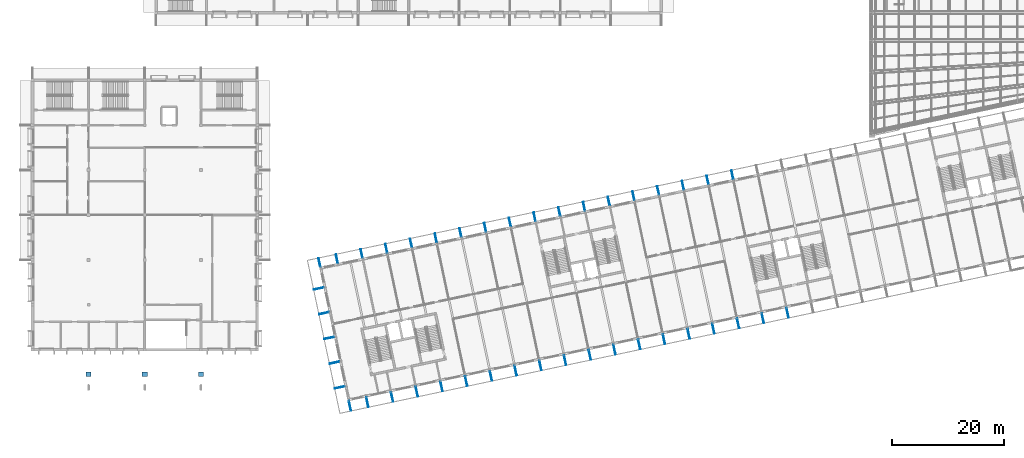
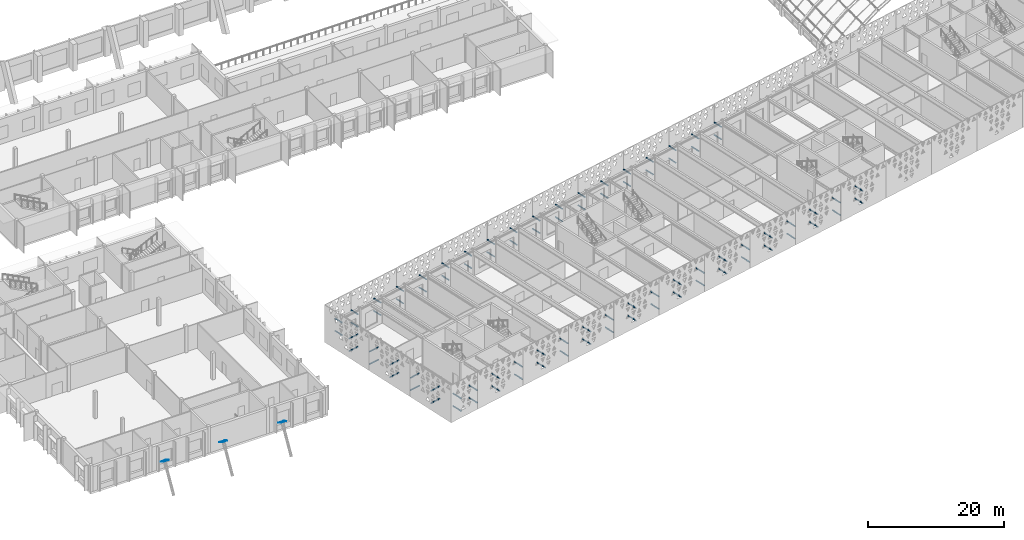
# One storey, part 152 of 182: 87 discrete accessories.
"""IFC4 building model written with IfcOpenShell, lengths in metres."""

from ifc_helpers import new_model, si_unit, direction, frame, origin, origin_2d, place, context, subcontext, project, spatial, rectangle, extrude, material, layer, layer_set, material_profile, profile_set, type_object, element, save


model = new_model("IFC4")

# Units and contexts
model_context = context("Model", 3, precision=1e-05, world=origin(), true_north=direction((0.0, 1.0)))
body_context = subcontext(model_context, "Body", "Model", "MODEL_VIEW")
ifc_project = project(units=[si_unit("LENGTHUNIT", "METRE"), si_unit("AREAUNIT", "SQUARE_METRE"), si_unit("VOLUMEUNIT", "CUBIC_METRE"), si_unit("PLANEANGLEUNIT", "RADIAN"), si_unit("MASSUNIT", "GRAM", prefix="KILO")], contexts=[model_context])

# Site, building, storey
site_placement = place(None, origin())
site = spatial("IfcSite", under=ifc_project, at=site_placement, CompositionType="ELEMENT")
building_placement = place(site_placement, origin())
building = spatial("IfcBuilding", under=site, at=building_placement, Name="Okhra Congress Centre", CompositionType="ELEMENT")
storey_placement = place(building_placement, frame((0.0, 0.0, 7.199951171875)))
storey = spatial("IfcBuildingStorey", under=building, at=storey_placement, Name="L01", CompositionType="ELEMENT", Elevation=7.199951171875)

# Discrete accessories
ifc_material_1 = material(Name="Steel S355J2", Category="steel")
ifc_layer = layer(ifc_material_1, 0.02001953125)
ifc_layer_set = layer_set([ifc_layer], Name="Brace end connection plate 20 mm S355")
discrete_accessory_type_1 = type_object("IfcDiscreteAccessoryType", Name="Brace end connection plate 20 mm S355", PredefinedType="BRACKET", material=ifc_layer_set)
for number, where, z_axis, x_axis, name in (
    (1, (16.0, 31.60009765625, 4.60009765625), (0.0, 0.500074377092, 0.865982457891), (-1.0, 0.0, 0.0), "Brace end connection plate"),
    (2, (26.0, 31.60009765625, 4.60009765625), (0.0, 0.500074377092, 0.865982457891), (-1.0, 0.0, 0.0), "Brace end connection plate"),
    (3, (36.0, 31.60009765625, 4.60009765625), (0.0, 0.500074377092, 0.865982457891), (-1.0, 0.0, 0.0), "Brace end connection plate"),
):
    element("IfcDiscreteAccessory", number, at=place(storey_placement, frame(where, z_axis=z_axis, x_axis=x_axis)), inside=storey, type_object=discrete_accessory_type_1, Name=name, PredefinedType="BRACKET", context=body_context, shape_type="SweptSolid", body=[
        extrude(rectangle(XDim=0.9140625, YDim=0.9140625, at=origin_2d()), origin(), (0.0, 0.0, 1.0), 0.02001953125),
    ])
ifc_material_2 = material(Name="Steel S355J2 outrigger, galvanised", Category="steel")
ifc_material_profile = material_profile(ifc_material_2, rectangle(XDim=0.1201171875, YDim=0.1201171875, at=origin_2d()), Name="Screen outrigger bracket 120x120")
ifc_profile_set = profile_set([ifc_material_profile], Name="Steel S355J2 outrigger, galvanised")
discrete_accessory_type_2 = type_object("IfcDiscreteAccessoryType", Name="Screen outrigger bracket 120x120", PredefinedType="BRACKET", material=ifc_profile_set)
for number, where, z_axis, x_axis, name in (
    (4, (62.352783203125, 26.86962890625, 1.130126953125), (0.207885223274, -0.97815322621, 0.0), (0.97815322621, 0.207885223274, 0.0), "Screen outrigger 1"),
    (5, (62.352783203125, 26.86962890625, 3.3701171875), (0.207885223274, -0.97815322621, 0.0), (0.97815322621, 0.207885223274, 0.0), "Screen outrigger 2"),
):
    element("IfcDiscreteAccessory", number, at=place(storey_placement, frame(where, z_axis=z_axis, x_axis=x_axis)), inside=storey, type_object=discrete_accessory_type_2, Name=name, PredefinedType="BRACKET", context=body_context, shape_type="SweptSolid", body=[
        extrude(rectangle(XDim=0.1201171875, YDim=0.1201171875, at=origin_2d()), origin(), (0.0, 0.0, 1.0), 1.76513671875),
    ])
for number, where, z_axis, x_axis, name in (
    (6, (57.271484375, 50.775390625, 1.130126953125), (-0.207952044176, 0.978139022493, 0.0), (-0.978139022493, -0.207952044176, 0.0), "Screen outrigger 9"),
    (7, (57.271484375, 50.775390625, 3.3701171875), (-0.207952044176, 0.978139022493, 0.0), (-0.978139022493, -0.207952044176, 0.0), "Screen outrigger 10"),
):
    element("IfcDiscreteAccessory", number, at=place(storey_placement, frame(where, z_axis=z_axis, x_axis=x_axis)), inside=storey, type_object=discrete_accessory_type_2, Name=name, PredefinedType="BRACKET", context=body_context, shape_type="SweptSolid", body=[
        extrude(rectangle(XDim=0.1201171875, YDim=0.1201171875, at=origin_2d()), origin(), (0.0, 0.0, 1.0), 1.56494140625),
    ])
for number, where, z_axis, x_axis, name in (
    (8, (65.45849609375, 27.529541015625, 1.130126953125), (0.207913352163, -0.978147247602, 0.0), (0.978147247602, 0.207913352163, 0.0), "Screen outrigger 16"),
    (9, (65.45849609375, 27.529541015625, 3.3701171875), (0.207913352163, -0.978147247602, 0.0), (0.978147247602, 0.207913352163, 0.0), "Screen outrigger 17"),
):
    element("IfcDiscreteAccessory", number, at=place(storey_placement, frame(where, z_axis=z_axis, x_axis=x_axis)), inside=storey, type_object=discrete_accessory_type_2, Name=name, PredefinedType="BRACKET", context=body_context, shape_type="SweptSolid", body=[
        extrude(rectangle(XDim=0.1201171875, YDim=0.1201171875, at=origin_2d()), origin(), (0.0, 0.0, 1.0), 1.764892578125),
    ])
for number, where, z_axis, x_axis, name in (
    (10, (60.376953125, 51.435546875, 1.130126953125), (-0.207802780084, 0.978170744088, 0.0), (-0.978170744088, -0.207802780084, 0.0), "Screen outrigger 24"),
    (11, (60.376953125, 51.435546875, 3.3701171875), (-0.207802780084, 0.978170744088, 0.0), (-0.978170744088, -0.207802780084, 0.0), "Screen outrigger 25"),
):
    element("IfcDiscreteAccessory", number, at=place(storey_placement, frame(where, z_axis=z_axis, x_axis=x_axis)), inside=storey, type_object=discrete_accessory_type_2, Name=name, PredefinedType="BRACKET", context=body_context, shape_type="SweptSolid", body=[
        extrude(rectangle(XDim=0.1201171875, YDim=0.1201171875, at=origin_2d()), origin(), (0.0, 0.0, 1.0), 1.56494140625),
    ])
for number, where, z_axis, x_axis, name in (
    (12, (69.860107421875, 28.46533203125, 1.130126953125), (0.207885223274, -0.97815322621, 0.0), (0.97815322621, 0.207885223274, 0.0), "Screen outrigger 31"),
    (13, (69.860107421875, 28.46533203125, 3.3701171875), (0.207885223274, -0.97815322621, 0.0), (0.97815322621, 0.207885223274, 0.0), "Screen outrigger 32"),
):
    element("IfcDiscreteAccessory", number, at=place(storey_placement, frame(where, z_axis=z_axis, x_axis=x_axis)), inside=storey, type_object=discrete_accessory_type_2, Name=name, PredefinedType="BRACKET", context=body_context, shape_type="SweptSolid", body=[
        extrude(rectangle(XDim=0.1201171875, YDim=0.1201171875, at=origin_2d()), origin(), (0.0, 0.0, 1.0), 1.76513671875),
    ])
for number, where, z_axis, x_axis, name in (
    (14, (64.77880859375, 52.37109375, 1.130126953125), (-0.207920316953, 0.978145767152, 0.0), (-0.978145767152, -0.207920316953, 0.0), "Screen outrigger 39"),
    (15, (64.77880859375, 52.37109375, 3.3701171875), (-0.207920316953, 0.978145767152, 0.0), (-0.978145767152, -0.207920316953, 0.0), "Screen outrigger 40"),
):
    element("IfcDiscreteAccessory", number, at=place(storey_placement, frame(where, z_axis=z_axis, x_axis=x_axis)), inside=storey, type_object=discrete_accessory_type_2, Name=name, PredefinedType="BRACKET", context=body_context, shape_type="SweptSolid", body=[
        extrude(rectangle(XDim=0.1201171875, YDim=0.1201171875, at=origin_2d()), origin(), (0.0, 0.0, 1.0), 1.565185546875),
    ])
for number, where, z_axis, x_axis, name in (
    (16, (74.26171875, 29.40087890625, 1.130126953125), (0.207885223274, -0.97815322621, 0.0), (0.97815322621, 0.207885223274, 0.0), "Screen outrigger 46"),
    (17, (74.26171875, 29.40087890625, 3.3701171875), (0.207885223274, -0.97815322621, 0.0), (0.97815322621, 0.207885223274, 0.0), "Screen outrigger 47"),
):
    element("IfcDiscreteAccessory", number, at=place(storey_placement, frame(where, z_axis=z_axis, x_axis=x_axis)), inside=storey, type_object=discrete_accessory_type_2, Name=name, PredefinedType="BRACKET", context=body_context, shape_type="SweptSolid", body=[
        extrude(rectangle(XDim=0.1201171875, YDim=0.1201171875, at=origin_2d()), origin(), (0.0, 0.0, 1.0), 1.76513671875),
    ])
for number, where, z_axis, x_axis, name in (
    (18, (69.180419921875, 53.306884765625, 1.130126953125), (-0.207952044176, 0.978139022493, 0.0), (-0.978139022493, -0.207952044176, 0.0), "Screen outrigger 54"),
    (19, (69.180419921875, 53.306884765625, 3.3701171875), (-0.207952044176, 0.978139022493, 0.0), (-0.978139022493, -0.207952044176, 0.0), "Screen outrigger 55"),
):
    element("IfcDiscreteAccessory", number, at=place(storey_placement, frame(where, z_axis=z_axis, x_axis=x_axis)), inside=storey, type_object=discrete_accessory_type_2, Name=name, PredefinedType="BRACKET", context=body_context, shape_type="SweptSolid", body=[
        extrude(rectangle(XDim=0.1201171875, YDim=0.1201171875, at=origin_2d()), origin(), (0.0, 0.0, 1.0), 1.56494140625),
    ])
for number, where, z_axis, x_axis, name in (
    (20, (78.663330078125, 30.33642578125, 1.130126953125), (0.207913352163, -0.978147247602, 0.0), (0.978147247602, 0.207913352163, 0.0), "Screen outrigger 61"),
    (21, (78.663330078125, 30.33642578125, 3.3701171875), (0.207913352163, -0.978147247602, 0.0), (0.978147247602, 0.207913352163, 0.0), "Screen outrigger 62"),
):
    element("IfcDiscreteAccessory", number, at=place(storey_placement, frame(where, z_axis=z_axis, x_axis=x_axis)), inside=storey, type_object=discrete_accessory_type_2, Name=name, PredefinedType="BRACKET", context=body_context, shape_type="SweptSolid", body=[
        extrude(rectangle(XDim=0.1201171875, YDim=0.1201171875, at=origin_2d()), origin(), (0.0, 0.0, 1.0), 1.764892578125),
    ])
for number, where, z_axis, x_axis, name in (
    (22, (73.58203125, 54.242431640625, 1.130126953125), (-0.207952044176, 0.978139022493, 0.0), (-0.978139022493, -0.207952044176, 0.0), "Screen outrigger 69"),
    (23, (73.58203125, 54.242431640625, 3.3701171875), (-0.207952044176, 0.978139022493, 0.0), (-0.978139022493, -0.207952044176, 0.0), "Screen outrigger 70"),
):
    element("IfcDiscreteAccessory", number, at=place(storey_placement, frame(where, z_axis=z_axis, x_axis=x_axis)), inside=storey, type_object=discrete_accessory_type_2, Name=name, PredefinedType="BRACKET", context=body_context, shape_type="SweptSolid", body=[
        extrude(rectangle(XDim=0.1201171875, YDim=0.1201171875, at=origin_2d()), origin(), (0.0, 0.0, 1.0), 1.56494140625),
    ])
for number, where, z_axis, x_axis, name in (
    (24, (83.06494140625, 31.27197265625, 1.130126953125), (0.208045698869, -0.978119106849, 0.0), (0.978119106849, 0.208045698869, 0.0), "Screen outrigger 76"),
    (25, (83.06494140625, 31.27197265625, 3.3701171875), (0.208045698869, -0.978119106849, 0.0), (0.978119106849, 0.208045698869, 0.0), "Screen outrigger 77"),
):
    element("IfcDiscreteAccessory", number, at=place(storey_placement, frame(where, z_axis=z_axis, x_axis=x_axis)), inside=storey, type_object=discrete_accessory_type_2, Name=name, PredefinedType="BRACKET", context=body_context, shape_type="SweptSolid", body=[
        extrude(rectangle(XDim=0.1201171875, YDim=0.1201171875, at=origin_2d()), origin(), (0.0, 0.0, 1.0), 1.764892578125),
    ])
for number, where, z_axis, x_axis, name in (
    (26, (77.983642578125, 55.177978515625, 1.130126953125), (-0.207952044176, 0.978139022493, 0.0), (-0.978139022493, -0.207952044176, 0.0), "Screen outrigger 84"),
    (27, (77.983642578125, 55.177978515625, 3.3701171875), (-0.207952044176, 0.978139022493, 0.0), (-0.978139022493, -0.207952044176, 0.0), "Screen outrigger 85"),
):
    element("IfcDiscreteAccessory", number, at=place(storey_placement, frame(where, z_axis=z_axis, x_axis=x_axis)), inside=storey, type_object=discrete_accessory_type_2, Name=name, PredefinedType="BRACKET", context=body_context, shape_type="SweptSolid", body=[
        extrude(rectangle(XDim=0.1201171875, YDim=0.1201171875, at=origin_2d()), origin(), (0.0, 0.0, 1.0), 1.56494140625),
    ])
for number, where, z_axis, x_axis, name in (
    (28, (87.466796875, 32.207763671875, 1.130126953125), (0.207885223274, -0.97815322621, 0.0), (0.97815322621, 0.207885223274, 0.0), "Screen outrigger 92"),
    (29, (87.466796875, 32.207763671875, 3.3701171875), (0.207885223274, -0.97815322621, 0.0), (0.97815322621, 0.207885223274, 0.0), "Screen outrigger 93"),
):
    element("IfcDiscreteAccessory", number, at=place(storey_placement, frame(where, z_axis=z_axis, x_axis=x_axis)), inside=storey, type_object=discrete_accessory_type_2, Name=name, PredefinedType="BRACKET", context=body_context, shape_type="SweptSolid", body=[
        extrude(rectangle(XDim=0.1201171875, YDim=0.1201171875, at=origin_2d()), origin(), (0.0, 0.0, 1.0), 1.76513671875),
    ])
for number, where, z_axis, x_axis, name in (
    (30, (82.38525390625, 56.113525390625, 1.130126953125), (-0.207802780084, 0.978170744088, 0.0), (-0.978170744088, -0.207802780084, 0.0), "Screen outrigger 100"),
    (31, (82.38525390625, 56.113525390625, 3.3701171875), (-0.207802780084, 0.978170744088, 0.0), (-0.978170744088, -0.207802780084, 0.0), "Screen outrigger 101"),
):
    element("IfcDiscreteAccessory", number, at=place(storey_placement, frame(where, z_axis=z_axis, x_axis=x_axis)), inside=storey, type_object=discrete_accessory_type_2, Name=name, PredefinedType="BRACKET", context=body_context, shape_type="SweptSolid", body=[
        extrude(rectangle(XDim=0.1201171875, YDim=0.1201171875, at=origin_2d()), origin(), (0.0, 0.0, 1.0), 1.56494140625),
    ])
for number, where, z_axis, x_axis, name in (
    (32, (91.868408203125, 33.143310546875, 1.130126953125), (0.207885223274, -0.97815322621, 0.0), (0.97815322621, 0.207885223274, 0.0), "Screen outrigger 108"),
    (33, (91.868408203125, 33.143310546875, 3.3701171875), (0.207885223274, -0.97815322621, 0.0), (0.97815322621, 0.207885223274, 0.0), "Screen outrigger 109"),
):
    element("IfcDiscreteAccessory", number, at=place(storey_placement, frame(where, z_axis=z_axis, x_axis=x_axis)), inside=storey, type_object=discrete_accessory_type_2, Name=name, PredefinedType="BRACKET", context=body_context, shape_type="SweptSolid", body=[
        extrude(rectangle(XDim=0.1201171875, YDim=0.1201171875, at=origin_2d()), origin(), (0.0, 0.0, 1.0), 1.76513671875),
    ])
for number, where, z_axis, x_axis, name in (
    (34, (86.787109375, 57.049072265625, 1.130126953125), (-0.207920316953, 0.978145767152, 0.0), (-0.978145767152, -0.207920316953, 0.0), "Screen outrigger 116"),
    (35, (86.787109375, 57.049072265625, 3.3701171875), (-0.207920316953, 0.978145767152, 0.0), (-0.978145767152, -0.207920316953, 0.0), "Screen outrigger 117"),
):
    element("IfcDiscreteAccessory", number, at=place(storey_placement, frame(where, z_axis=z_axis, x_axis=x_axis)), inside=storey, type_object=discrete_accessory_type_2, Name=name, PredefinedType="BRACKET", context=body_context, shape_type="SweptSolid", body=[
        extrude(rectangle(XDim=0.1201171875, YDim=0.1201171875, at=origin_2d()), origin(), (0.0, 0.0, 1.0), 1.565185546875),
    ])
for number, where, z_axis, x_axis, name in (
    (36, (96.27001953125, 34.078857421875, 1.130126953125), (0.207913352163, -0.978147247602, 0.0), (0.978147247602, 0.207913352163, 0.0), "Screen outrigger 124"),
    (37, (96.27001953125, 34.078857421875, 3.3701171875), (0.207913352163, -0.978147247602, 0.0), (0.978147247602, 0.207913352163, 0.0), "Screen outrigger 125"),
):
    element("IfcDiscreteAccessory", number, at=place(storey_placement, frame(where, z_axis=z_axis, x_axis=x_axis)), inside=storey, type_object=discrete_accessory_type_2, Name=name, PredefinedType="BRACKET", context=body_context, shape_type="SweptSolid", body=[
        extrude(rectangle(XDim=0.1201171875, YDim=0.1201171875, at=origin_2d()), origin(), (0.0, 0.0, 1.0), 1.764892578125),
    ])
for number, where, z_axis, x_axis, name in (
    (38, (91.188720703125, 57.98486328125, 1.130126953125), (-0.207952044176, 0.978139022493, 0.0), (-0.978139022493, -0.207952044176, 0.0), "Screen outrigger 132"),
    (39, (91.188720703125, 57.98486328125, 3.3701171875), (-0.207952044176, 0.978139022493, 0.0), (-0.978139022493, -0.207952044176, 0.0), "Screen outrigger 133"),
):
    element("IfcDiscreteAccessory", number, at=place(storey_placement, frame(where, z_axis=z_axis, x_axis=x_axis)), inside=storey, type_object=discrete_accessory_type_2, Name=name, PredefinedType="BRACKET", context=body_context, shape_type="SweptSolid", body=[
        extrude(rectangle(XDim=0.1201171875, YDim=0.1201171875, at=origin_2d()), origin(), (0.0, 0.0, 1.0), 1.56494140625),
    ])
for number, where, z_axis, x_axis, name in (
    (40, (100.671630859375, 35.014404296875, 1.130126953125), (0.207913352163, -0.978147247602, 0.0), (0.978147247602, 0.207913352163, 0.0), "Screen outrigger 140"),
    (41, (100.671630859375, 35.014404296875, 3.3701171875), (0.207913352163, -0.978147247602, 0.0), (0.978147247602, 0.207913352163, 0.0), "Screen outrigger 141"),
):
    element("IfcDiscreteAccessory", number, at=place(storey_placement, frame(where, z_axis=z_axis, x_axis=x_axis)), inside=storey, type_object=discrete_accessory_type_2, Name=name, PredefinedType="BRACKET", context=body_context, shape_type="SweptSolid", body=[
        extrude(rectangle(XDim=0.1201171875, YDim=0.1201171875, at=origin_2d()), origin(), (0.0, 0.0, 1.0), 1.764892578125),
    ])
for number, where, z_axis, x_axis, name in (
    (42, (95.59033203125, 58.92041015625, 1.130126953125), (-0.207952044176, 0.978139022493, 0.0), (-0.978139022493, -0.207952044176, 0.0), "Screen outrigger 149"),
    (43, (95.59033203125, 58.92041015625, 3.3701171875), (-0.207952044176, 0.978139022493, 0.0), (-0.978139022493, -0.207952044176, 0.0), "Screen outrigger 150"),
):
    element("IfcDiscreteAccessory", number, at=place(storey_placement, frame(where, z_axis=z_axis, x_axis=x_axis)), inside=storey, type_object=discrete_accessory_type_2, Name=name, PredefinedType="BRACKET", context=body_context, shape_type="SweptSolid", body=[
        extrude(rectangle(XDim=0.1201171875, YDim=0.1201171875, at=origin_2d()), origin(), (0.0, 0.0, 1.0), 1.56494140625),
    ])
for number, where, z_axis, x_axis, name in (
    (44, (105.073486328125, 35.949951171875, 1.130126953125), (0.207913352163, -0.978147247602, 0.0), (0.978147247602, 0.207913352163, 0.0), "Screen outrigger 157"),
    (45, (105.073486328125, 35.949951171875, 3.3701171875), (0.207913352163, -0.978147247602, 0.0), (0.978147247602, 0.207913352163, 0.0), "Screen outrigger 158"),
):
    element("IfcDiscreteAccessory", number, at=place(storey_placement, frame(where, z_axis=z_axis, x_axis=x_axis)), inside=storey, type_object=discrete_accessory_type_2, Name=name, PredefinedType="BRACKET", context=body_context, shape_type="SweptSolid", body=[
        extrude(rectangle(XDim=0.1201171875, YDim=0.1201171875, at=origin_2d()), origin(), (0.0, 0.0, 1.0), 1.764892578125),
    ])
for number, where, z_axis, x_axis, name in (
    (46, (99.991943359375, 59.85595703125, 1.130126953125), (-0.207802780084, 0.978170744088, 0.0), (-0.978170744088, -0.207802780084, 0.0), "Screen outrigger 166"),
    (47, (99.991943359375, 59.85595703125, 3.3701171875), (-0.207802780084, 0.978170744088, 0.0), (-0.978170744088, -0.207802780084, 0.0), "Screen outrigger 167"),
):
    element("IfcDiscreteAccessory", number, at=place(storey_placement, frame(where, z_axis=z_axis, x_axis=x_axis)), inside=storey, type_object=discrete_accessory_type_2, Name=name, PredefinedType="BRACKET", context=body_context, shape_type="SweptSolid", body=[
        extrude(rectangle(XDim=0.1201171875, YDim=0.1201171875, at=origin_2d()), origin(), (0.0, 0.0, 1.0), 1.56494140625),
    ])
for number, where, z_axis, x_axis, name in (
    (48, (109.47509765625, 36.8857421875, 1.130126953125), (0.207885223274, -0.97815322621, 0.0), (0.97815322621, 0.207885223274, 0.0), "Screen outrigger 174"),
    (49, (109.47509765625, 36.8857421875, 3.3701171875), (0.207885223274, -0.97815322621, 0.0), (0.97815322621, 0.207885223274, 0.0), "Screen outrigger 175"),
):
    element("IfcDiscreteAccessory", number, at=place(storey_placement, frame(where, z_axis=z_axis, x_axis=x_axis)), inside=storey, type_object=discrete_accessory_type_2, Name=name, PredefinedType="BRACKET", context=body_context, shape_type="SweptSolid", body=[
        extrude(rectangle(XDim=0.1201171875, YDim=0.1201171875, at=origin_2d()), origin(), (0.0, 0.0, 1.0), 1.76513671875),
    ])
for number, where, z_axis, x_axis, name in (
    (50, (104.3935546875, 60.79150390625, 1.130126953125), (-0.207771073578, 0.978177479287, 0.0), (-0.978177479287, -0.207771073578, 0.0), "Screen outrigger 183"),
    (51, (104.3935546875, 60.79150390625, 3.3701171875), (-0.207771073578, 0.978177479287, 0.0), (-0.978177479287, -0.207771073578, 0.0), "Screen outrigger 184"),
):
    element("IfcDiscreteAccessory", number, at=place(storey_placement, frame(where, z_axis=z_axis, x_axis=x_axis)), inside=storey, type_object=discrete_accessory_type_2, Name=name, PredefinedType="BRACKET", context=body_context, shape_type="SweptSolid", body=[
        extrude(rectangle(XDim=0.1201171875, YDim=0.1201171875, at=origin_2d()), origin(), (0.0, 0.0, 1.0), 1.565185546875),
    ])
for number, where, z_axis, x_axis, name in (
    (52, (113.876708984375, 37.8212890625, 1.130126953125), (0.207885223274, -0.97815322621, 0.0), (0.97815322621, 0.207885223274, 0.0), "Screen outrigger 191"),
    (53, (113.876708984375, 37.8212890625, 3.3701171875), (0.207885223274, -0.97815322621, 0.0), (0.97815322621, 0.207885223274, 0.0), "Screen outrigger 192"),
):
    element("IfcDiscreteAccessory", number, at=place(storey_placement, frame(where, z_axis=z_axis, x_axis=x_axis)), inside=storey, type_object=discrete_accessory_type_2, Name=name, PredefinedType="BRACKET", context=body_context, shape_type="SweptSolid", body=[
        extrude(rectangle(XDim=0.1201171875, YDim=0.1201171875, at=origin_2d()), origin(), (0.0, 0.0, 1.0), 1.76513671875),
    ])
for number, where, z_axis, x_axis, name in (
    (54, (108.79541015625, 61.727294921875, 1.130126953125), (-0.207952044176, 0.978139022493, 0.0), (-0.978139022493, -0.207952044176, 0.0), "Screen outrigger 200"),
    (55, (108.79541015625, 61.727294921875, 3.3701171875), (-0.207952044176, 0.978139022493, 0.0), (-0.978139022493, -0.207952044176, 0.0), "Screen outrigger 201"),
):
    element("IfcDiscreteAccessory", number, at=place(storey_placement, frame(where, z_axis=z_axis, x_axis=x_axis)), inside=storey, type_object=discrete_accessory_type_2, Name=name, PredefinedType="BRACKET", context=body_context, shape_type="SweptSolid", body=[
        extrude(rectangle(XDim=0.1201171875, YDim=0.1201171875, at=origin_2d()), origin(), (0.0, 0.0, 1.0), 1.56494140625),
    ])
for number, where, z_axis, x_axis, name in (
    (56, (118.2783203125, 38.7568359375, 1.130126953125), (0.207913352163, -0.978147247602, 0.0), (0.978147247602, 0.207913352163, 0.0), "Screen outrigger 208"),
    (57, (118.2783203125, 38.7568359375, 3.3701171875), (0.207913352163, -0.978147247602, 0.0), (0.978147247602, 0.207913352163, 0.0), "Screen outrigger 209"),
):
    element("IfcDiscreteAccessory", number, at=place(storey_placement, frame(where, z_axis=z_axis, x_axis=x_axis)), inside=storey, type_object=discrete_accessory_type_2, Name=name, PredefinedType="BRACKET", context=body_context, shape_type="SweptSolid", body=[
        extrude(rectangle(XDim=0.1201171875, YDim=0.1201171875, at=origin_2d()), origin(), (0.0, 0.0, 1.0), 1.764892578125),
    ])
for number, where, z_axis, x_axis, name in (
    (58, (113.197021484375, 62.662841796875, 1.130126953125), (-0.207952044176, 0.978139022493, 0.0), (-0.978139022493, -0.207952044176, 0.0), "Screen outrigger 217"),
    (59, (113.197021484375, 62.662841796875, 3.3701171875), (-0.207952044176, 0.978139022493, 0.0), (-0.978139022493, -0.207952044176, 0.0), "Screen outrigger 218"),
):
    element("IfcDiscreteAccessory", number, at=place(storey_placement, frame(where, z_axis=z_axis, x_axis=x_axis)), inside=storey, type_object=discrete_accessory_type_2, Name=name, PredefinedType="BRACKET", context=body_context, shape_type="SweptSolid", body=[
        extrude(rectangle(XDim=0.1201171875, YDim=0.1201171875, at=origin_2d()), origin(), (0.0, 0.0, 1.0), 1.56494140625),
    ])
for number, where, z_axis, x_axis, name in (
    (60, (122.679931640625, 39.6923828125, 1.130126953125), (0.207913352163, -0.978147247602, 0.0), (0.978147247602, 0.207913352163, 0.0), "Screen outrigger 225"),
    (61, (122.679931640625, 39.6923828125, 3.3701171875), (0.207913352163, -0.978147247602, 0.0), (0.978147247602, 0.207913352163, 0.0), "Screen outrigger 226"),
):
    element("IfcDiscreteAccessory", number, at=place(storey_placement, frame(where, z_axis=z_axis, x_axis=x_axis)), inside=storey, type_object=discrete_accessory_type_2, Name=name, PredefinedType="BRACKET", context=body_context, shape_type="SweptSolid", body=[
        extrude(rectangle(XDim=0.1201171875, YDim=0.1201171875, at=origin_2d()), origin(), (0.0, 0.0, 1.0), 1.764892578125),
    ])
for number, where, z_axis, x_axis, name in (
    (62, (117.5986328125, 63.598388671875, 1.130126953125), (-0.207952044176, 0.978139022493, 0.0), (-0.978139022493, -0.207952044176, 0.0), "Screen outrigger 234"),
    (63, (117.5986328125, 63.598388671875, 3.3701171875), (-0.207952044176, 0.978139022493, 0.0), (-0.978139022493, -0.207952044176, 0.0), "Screen outrigger 235"),
):
    element("IfcDiscreteAccessory", number, at=place(storey_placement, frame(where, z_axis=z_axis, x_axis=x_axis)), inside=storey, type_object=discrete_accessory_type_2, Name=name, PredefinedType="BRACKET", context=body_context, shape_type="SweptSolid", body=[
        extrude(rectangle(XDim=0.1201171875, YDim=0.1201171875, at=origin_2d()), origin(), (0.0, 0.0, 1.0), 1.56494140625),
    ])
for number, where, z_axis, x_axis, name in (
    (64, (127.081787109375, 40.628173828125, 1.130126953125), (0.207885223274, -0.97815322621, 0.0), (0.97815322621, 0.207885223274, 0.0), "Screen outrigger 243"),
    (65, (127.081787109375, 40.628173828125, 3.3701171875), (0.207885223274, -0.97815322621, 0.0), (0.97815322621, 0.207885223274, 0.0), "Screen outrigger 244"),
):
    element("IfcDiscreteAccessory", number, at=place(storey_placement, frame(where, z_axis=z_axis, x_axis=x_axis)), inside=storey, type_object=discrete_accessory_type_2, Name=name, PredefinedType="BRACKET", context=body_context, shape_type="SweptSolid", body=[
        extrude(rectangle(XDim=0.1201171875, YDim=0.1201171875, at=origin_2d()), origin(), (0.0, 0.0, 1.0), 1.76513671875),
    ])
for number, where, z_axis, x_axis, name in (
    (66, (122.000244140625, 64.533935546875, 1.130126953125), (-0.207802780084, 0.978170744088, 0.0), (-0.978170744088, -0.207802780084, 0.0), "Screen outrigger 252"),
    (67, (122.000244140625, 64.533935546875, 3.3701171875), (-0.207802780084, 0.978170744088, 0.0), (-0.978170744088, -0.207802780084, 0.0), "Screen outrigger 253"),
):
    element("IfcDiscreteAccessory", number, at=place(storey_placement, frame(where, z_axis=z_axis, x_axis=x_axis)), inside=storey, type_object=discrete_accessory_type_2, Name=name, PredefinedType="BRACKET", context=body_context, shape_type="SweptSolid", body=[
        extrude(rectangle(XDim=0.1201171875, YDim=0.1201171875, at=origin_2d()), origin(), (0.0, 0.0, 1.0), 1.56494140625),
    ])
for number, where, z_axis, x_axis, name in (
    (68, (131.4833984375, 41.563720703125, 1.130126953125), (0.207885223274, -0.97815322621, 0.0), (0.97815322621, 0.207885223274, 0.0), "Screen outrigger 261"),
    (69, (131.4833984375, 41.563720703125, 3.3701171875), (0.207885223274, -0.97815322621, 0.0), (0.97815322621, 0.207885223274, 0.0), "Screen outrigger 262"),
):
    element("IfcDiscreteAccessory", number, at=place(storey_placement, frame(where, z_axis=z_axis, x_axis=x_axis)), inside=storey, type_object=discrete_accessory_type_2, Name=name, PredefinedType="BRACKET", context=body_context, shape_type="SweptSolid", body=[
        extrude(rectangle(XDim=0.1201171875, YDim=0.1201171875, at=origin_2d()), origin(), (0.0, 0.0, 1.0), 1.76513671875),
    ])
for number, where, z_axis, x_axis, name in (
    (70, (126.402099609375, 65.4697265625, 1.130126953125), (-0.207952044176, 0.978139022493, 0.0), (-0.978139022493, -0.207952044176, 0.0), "Screen outrigger 270"),
    (71, (126.402099609375, 65.4697265625, 3.3701171875), (-0.207952044176, 0.978139022493, 0.0), (-0.978139022493, -0.207952044176, 0.0), "Screen outrigger 271"),
):
    element("IfcDiscreteAccessory", number, at=place(storey_placement, frame(where, z_axis=z_axis, x_axis=x_axis)), inside=storey, type_object=discrete_accessory_type_2, Name=name, PredefinedType="BRACKET", context=body_context, shape_type="SweptSolid", body=[
        extrude(rectangle(XDim=0.1201171875, YDim=0.1201171875, at=origin_2d()), origin(), (0.0, 0.0, 1.0), 1.56494140625),
    ])
for number, where, z_axis, x_axis, name in (
    (72, (135.885009765625, 42.499267578125, 1.130126953125), (0.207913352163, -0.978147247602, 0.0), (0.978147247602, 0.207913352163, 0.0), "Screen outrigger 279"),
    (73, (135.885009765625, 42.499267578125, 3.3701171875), (0.207913352163, -0.978147247602, 0.0), (0.978147247602, 0.207913352163, 0.0), "Screen outrigger 280"),
):
    element("IfcDiscreteAccessory", number, at=place(storey_placement, frame(where, z_axis=z_axis, x_axis=x_axis)), inside=storey, type_object=discrete_accessory_type_2, Name=name, PredefinedType="BRACKET", context=body_context, shape_type="SweptSolid", body=[
        extrude(rectangle(XDim=0.1201171875, YDim=0.1201171875, at=origin_2d()), origin(), (0.0, 0.0, 1.0), 1.764892578125),
    ])
for number, where, z_axis, x_axis, name in (
    (74, (130.8037109375, 66.4052734375, 1.130126953125), (-0.207952044176, 0.978139022493, 0.0), (-0.978139022493, -0.207952044176, 0.0), "Screen outrigger 288"),
    (75, (130.8037109375, 66.4052734375, 3.3701171875), (-0.207952044176, 0.978139022493, 0.0), (-0.978139022493, -0.207952044176, 0.0), "Screen outrigger 289"),
):
    element("IfcDiscreteAccessory", number, at=place(storey_placement, frame(where, z_axis=z_axis, x_axis=x_axis)), inside=storey, type_object=discrete_accessory_type_2, Name=name, PredefinedType="BRACKET", context=body_context, shape_type="SweptSolid", body=[
        extrude(rectangle(XDim=0.1201171875, YDim=0.1201171875, at=origin_2d()), origin(), (0.0, 0.0, 1.0), 1.56494140625),
    ])
for number, where, z_axis, x_axis, name in (
    (76, (140.28662109375, 43.434814453125, 1.130126953125), (0.207913352163, -0.978147247602, 0.0), (0.978147247602, 0.207913352163, 0.0), "Screen outrigger 297"),
    (77, (140.28662109375, 43.434814453125, 3.3701171875), (0.207913352163, -0.978147247602, 0.0), (0.978147247602, 0.207913352163, 0.0), "Screen outrigger 298"),
    (78, (61.572998046875, 29.4794921875, 1.130126953125), (-0.978147247602, -0.207913352163, 0.0), (0.207913352163, -0.978147247602, 0.0), "Screen outrigger 682"),
    (79, (61.572998046875, 29.4794921875, 3.3701171875), (-0.978147247602, -0.207913352163, 0.0), (0.207913352163, -0.978147247602, 0.0), "Screen outrigger 683"),
    (80, (60.637451171875, 33.881103515625, 1.130126953125), (-0.978147247602, -0.207913352163, 0.0), (0.207913352163, -0.978147247602, 0.0), "Screen outrigger 701"),
    (81, (60.637451171875, 33.881103515625, 3.3701171875), (-0.978147247602, -0.207913352163, 0.0), (0.207913352163, -0.978147247602, 0.0), "Screen outrigger 702"),
    (82, (59.701904296875, 38.28271484375, 1.130126953125), (-0.978147247602, -0.207913352163, 0.0), (0.207913352163, -0.978147247602, 0.0), "Screen outrigger 719"),
    (83, (59.701904296875, 38.28271484375, 3.3701171875), (-0.978147247602, -0.207913352163, 0.0), (0.207913352163, -0.978147247602, 0.0), "Screen outrigger 720"),
):
    element("IfcDiscreteAccessory", number, at=place(storey_placement, frame(where, z_axis=z_axis, x_axis=x_axis)), inside=storey, type_object=discrete_accessory_type_2, Name=name, PredefinedType="BRACKET", context=body_context, shape_type="SweptSolid", body=[
        extrude(rectangle(XDim=0.1201171875, YDim=0.1201171875, at=origin_2d()), origin(), (0.0, 0.0, 1.0), 1.764892578125),
    ])
for number, where, z_axis, x_axis, name in (
    (84, (58.766357421875, 42.6845703125, 1.130126953125), (-0.978125092897, -0.208017553693, 0.0), (0.208017553693, -0.978125092897, 0.0), "Screen outrigger 737"),
    (85, (58.766357421875, 42.6845703125, 3.3701171875), (-0.978125092897, -0.208017553693, 0.0), (0.208017553693, -0.978125092897, 0.0), "Screen outrigger 738"),
    (86, (57.830810546875, 47.086181640625, 1.130126953125), (-0.97815322621, -0.207885223274, 0.0), (0.207885223274, -0.97815322621, 0.0), "Screen outrigger 755"),
    (87, (57.830810546875, 47.086181640625, 3.3701171875), (-0.97815322621, -0.207885223274, 0.0), (0.207885223274, -0.97815322621, 0.0), "Screen outrigger 756"),
):
    element("IfcDiscreteAccessory", number, at=place(storey_placement, frame(where, z_axis=z_axis, x_axis=x_axis)), inside=storey, type_object=discrete_accessory_type_2, Name=name, PredefinedType="BRACKET", context=body_context, shape_type="SweptSolid", body=[
        extrude(rectangle(XDim=0.1201171875, YDim=0.1201171875, at=origin_2d()), origin(), (0.0, 0.0, 1.0), 1.76513671875),
    ])

save(model, "model.ifc")
